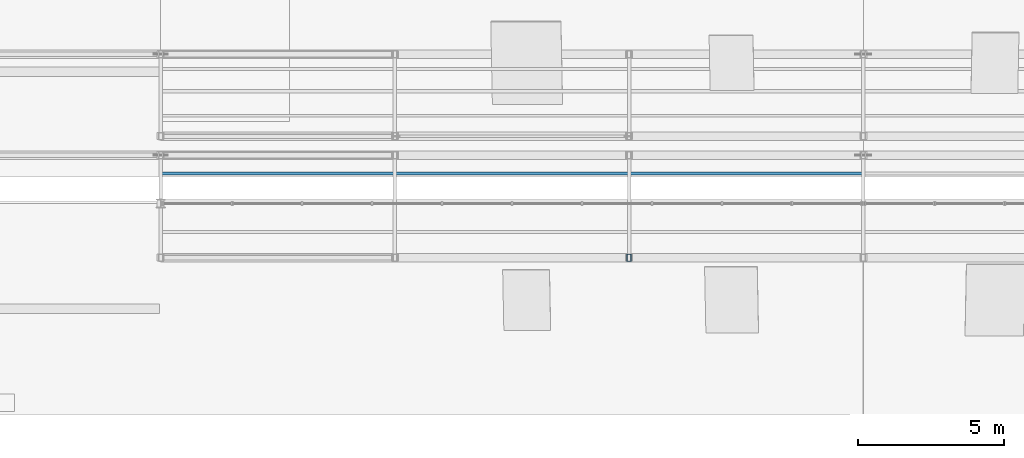
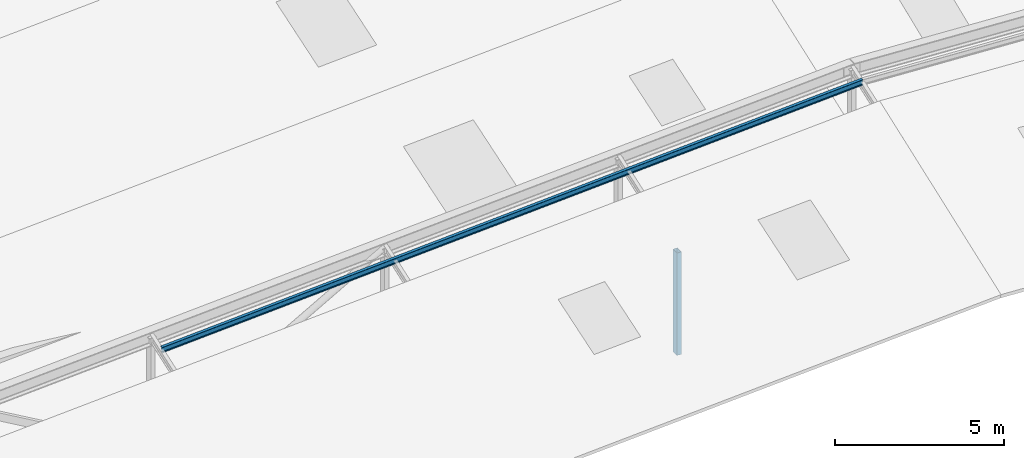
# One storey, part 9 of 141: 2 members.
"""IFC4 building model written with IfcOpenShell, lengths in metres."""

from ifc_helpers import new_model, si_unit, direction, frame, origin, origin_2d, place, context, subcontext, project, spatial, hollow_rectangle, i_section, extrude, material, material_profile, profile_set, type_object, element, save


model = new_model("IFC4")

# Units and contexts
model_context = context("Model", 3, precision=1e-05, world=origin(), true_north=direction((0.0, 1.0)))
body_context = subcontext(model_context, "Body", "Model", "MODEL_VIEW")
ifc_project = project(units=[si_unit("LENGTHUNIT", "METRE"), si_unit("AREAUNIT", "SQUARE_METRE"), si_unit("VOLUMEUNIT", "CUBIC_METRE"), si_unit("PLANEANGLEUNIT", "RADIAN"), si_unit("MASSUNIT", "GRAM", prefix="KILO")], contexts=[model_context])

# Site, building, storey
site_placement = place(None, origin())
site = spatial("IfcSite", under=ifc_project, at=site_placement, CompositionType="ELEMENT")
building_placement = place(site_placement, origin())
building = spatial("IfcBuilding", under=site, at=building_placement, Name="Sundkrona Museum", CompositionType="ELEMENT")
storey_placement = place(building_placement, frame((0.0, 0.0, 34.0)))
storey = spatial("IfcBuildingStorey", under=building, at=storey_placement, Name="RF", CompositionType="ELEMENT", Elevation=34.0)

# Members
ifc_material = material(Name="Steel S355J2", Category="steel")
ifc_material_profile_1 = material_profile(ifc_material, i_section(OverallWidth=0.10009765625, OverallDepth=0.199951171875, WebThickness=0.005615234375, FlangeThickness=0.008544921875, FilletRadius=0.011962890625, at=origin_2d()), Name="IPE 200")
ifc_profile_set_1 = profile_set([ifc_material_profile_1], Name="Steel S355J2")
member_type_1 = type_object("IfcMemberType", Name="PR-IPE200", PredefinedType="PURLIN", material=ifc_profile_set_1)
member_1_placement = place(storey_placement, frame((120.0, 3.219970703125, 3.732177734375), z_axis=(0.998539934522, 0.0, 0.054018507607), x_axis=(0.0, 1.0, 0.0)))
element("IfcMember", 1, at=member_1_placement, inside=storey, type_object=member_type_1, Name="RFS-1 Sawtooth Blade 1W Roof Purlin 3", PredefinedType="PURLIN", context=body_context, shape_type="SweptSolid", body=[
    extrude(i_section(OverallWidth=0.10009765625, OverallDepth=0.199951171875, WebThickness=0.005615234375, FlangeThickness=0.008544921875, FilletRadius=0.011962890625, at=origin_2d()), origin(), (0.0, 0.0, 1.0), 24.03515625),
])
ifc_material_profile_2 = material_profile(ifc_material, hollow_rectangle(XDim=0.14990234375, YDim=0.25, WallThickness=0.010009765625, at=origin_2d()), Name="RHS 250x150x10.0")
ifc_profile_set_2 = profile_set([ifc_material_profile_2], Name="Steel S355J2")
member_type_2 = type_object("IfcMemberType", Name="ST-RHS250", PredefinedType="STRUT", material=ifc_profile_set_2)
member_2_placement = place(storey_placement, frame((136.0, 0.35009765625, -0.25), z_axis=(0.0, 0.0, 1.0), x_axis=(1.0, 0.0, 0.0)))
element("IfcMember", 2, at=member_2_placement, inside=storey, type_object=member_type_2, Name="RFS-1 Sawtooth Bay 1 Valley Post 3", PredefinedType="STRUT", context=body_context, shape_type="SweptSolid", body=[
    extrude(hollow_rectangle(XDim=0.14990234375, YDim=0.25, WallThickness=0.010009765625, at=origin_2d()), origin(), (0.0, 0.0, 1.0), 3.706298828125),
])

save(model, "model.ifc")
